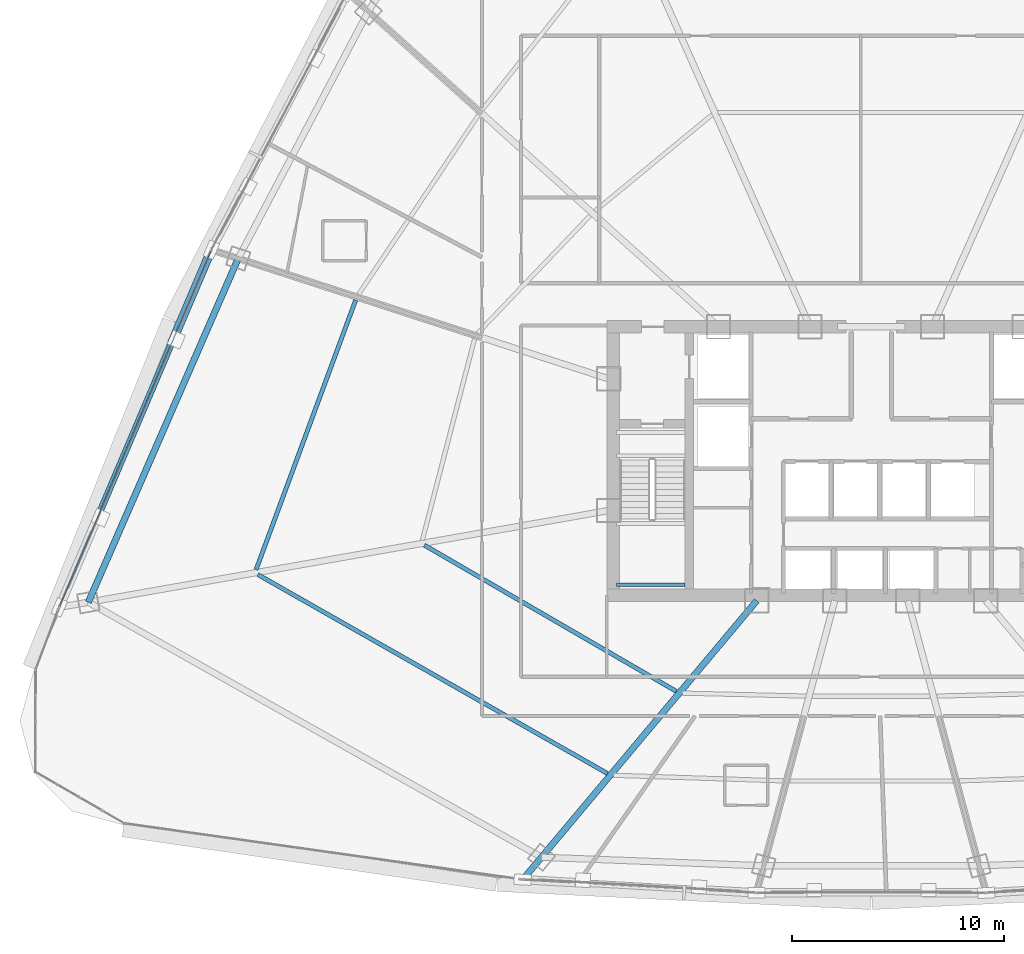
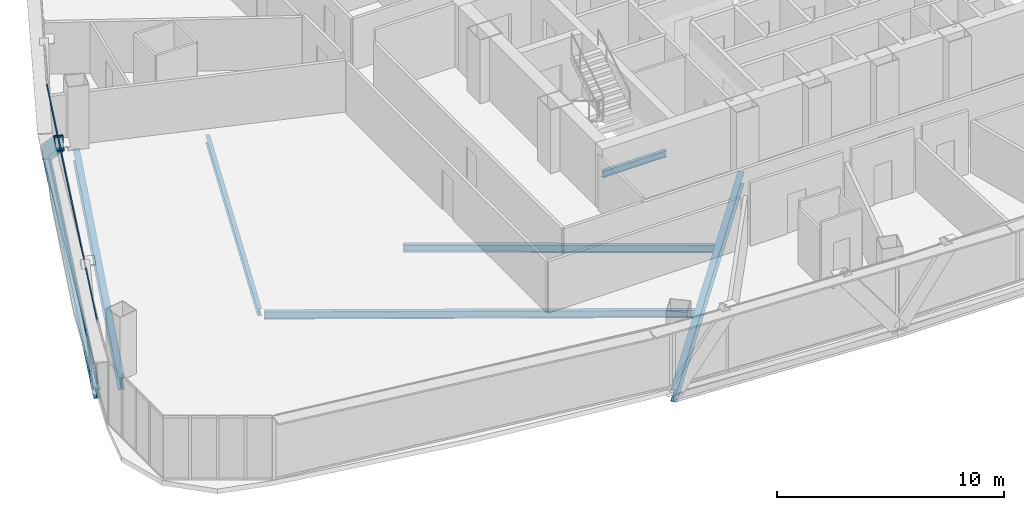
# One storey, part 7 of 40: 7 beams, 3 members, 1 element without a shape of its own.
"""IFC4 building model written with IfcOpenShell, lengths in metres."""

import ifcopenshell
import ifcopenshell.guid

model = None  # the IFC model being written
_history = None  # IfcOwnerHistory: only IFC2X3 demands one
_inside = {}  # id of a spatial element -> (the spatial element, [elements in it])
_under = {}  # id of a project, library or spatial element -> (it, [spatial elements below it])
_declared = {}  # id of a project -> (the project, [libraries it declares])
_typed = {}  # id of a type object -> (the type object, [elements of that type])
_made_of = {}  # id of a material, layer set ... -> (it, [elements and type objects made of it])


def new_model(schema):
    """Start an empty IFC model of exactly this schema.

    Asked for "IFC4X3", IfcOpenShell would pick the latest addendum, in which some entities
    have other attributes; the version numbers below select the first issue.
    IFC2X3 requires an IfcOwnerHistory on every rooted entity: one is made here for all.
    """
    global model, _history
    if schema == "IFC4X3":
        model = ifcopenshell.file(schema_version=(4, 3, 0, 0))
    else:
        model = ifcopenshell.file(schema=schema)
    _inside.clear()
    _under.clear()
    _declared.clear()
    _typed.clear()
    _made_of.clear()
    _history = None
    if model.schema == "IFC2X3":
        org = make("IfcOrganization", Name="unknown")
        user = make(
            "IfcPersonAndOrganization",
            ThePerson=make("IfcPerson", FamilyName="unknown"),
            TheOrganization=org,
        )
        app = make(
            "IfcApplication",
            ApplicationDeveloper=org,
            Version="unknown",
            ApplicationFullName="unknown",
            ApplicationIdentifier="unknown",
        )
        _history = make(
            "IfcOwnerHistory",
            OwningUser=user,
            OwningApplication=app,
            ChangeAction="ADDED",
            CreationDate=0,
        )
    return model


def make(cls, **values):
    """One entity of the class cls with the attributes given. An attribute that is None is left unset."""
    return model.create_entity(
        cls, **{name: value for name, value in values.items() if value is not None}
    )


def rooted(cls, **values):
    """An entity with a GlobalId (a new one), such as an element, a storey or a relation."""
    return make(cls, GlobalId=ifcopenshell.guid.new(), OwnerHistory=_history, **values)


def si_unit(unit_type, name, prefix=None):
    """IfcSIUnit, for example si_unit("LENGTHUNIT", "METRE", prefix="MILLI")."""
    return make("IfcSIUnit", UnitType=unit_type, Prefix=prefix, Name=name)


def assignment(units):
    """IfcUnitAssignment: the units of a project."""
    return None if units is None else make("IfcUnitAssignment", Units=units)


def point(xyz):
    """IfcCartesianPoint."""
    return None if xyz is None else make("IfcCartesianPoint", Coordinates=xyz)


def direction(xyz):
    """IfcDirection."""
    return None if xyz is None else make("IfcDirection", DirectionRatios=xyz)


def frame(location, z_axis=None, x_axis=None):
    """IfcAxis2Placement3D, a coordinate frame: its origin and axes. An axis left out is left unset."""
    return make(
        "IfcAxis2Placement3D",
        Location=point(location),
        Axis=direction(z_axis),
        RefDirection=direction(x_axis),
    )


def frame_2d(location, x_axis=None):
    """IfcAxis2Placement2D, a coordinate frame in the plane: its origin and x axis."""
    return make(
        "IfcAxis2Placement2D", Location=point(location), RefDirection=direction(x_axis)
    )


def origin():
    """The frame at (0, 0, 0) with its axes left unset."""
    return frame((0.0, 0.0, 0.0))


def origin_2d():
    """The frame at (0, 0) in the plane with its x axis left unset."""
    return frame_2d((0.0, 0.0))


def place(relative_to, where):
    """IfcLocalPlacement: puts the frame where relative to a parent placement (None: the world)."""
    return make(
        "IfcLocalPlacement", PlacementRelTo=relative_to, RelativePlacement=where
    )


def context(
    kind, dimensions, precision=None, world=None, true_north=None, identifier=None
):
    """IfcGeometricRepresentationContext, for example the 3D "Model" context."""
    return make(
        "IfcGeometricRepresentationContext",
        ContextIdentifier=identifier,
        ContextType=kind,
        CoordinateSpaceDimension=dimensions,
        Precision=precision,
        WorldCoordinateSystem=world,
        TrueNorth=true_north,
    )


def subcontext(parent, identifier, kind, view, scale=None):
    """IfcGeometricRepresentationSubContext, for example "Body" below "Model"."""
    return make(
        "IfcGeometricRepresentationSubContext",
        ContextIdentifier=identifier,
        ContextType=kind,
        ParentContext=parent,
        TargetScale=scale,
        TargetView=view,
    )


def project(units=None, contexts=None):
    """IfcProject with its units and contexts."""
    return rooted(
        "IfcProject",
        Name="project",
        RepresentationContexts=contexts,
        UnitsInContext=assignment(units),
    )


def spatial(cls, under=None, at=None, **own):
    """A site, building, storey or space (cls), placed at a placement, below another one or the project."""
    s = rooted(cls, ObjectPlacement=at, **own)
    if under is not None:
        _under.setdefault(under.id(), (under, []))[1].append(s)
    return s


def profile(cls, at=None, kind="AREA", **sizes):
    """A parametric profile (cls). Its sizes go by their IFC names, for example OverallWidth=200.0."""
    return make(cls, ProfileType=kind, Position=at, **sizes)


def hollow_rectangle(**sizes):
    """IfcRectangleHollowProfileDef."""
    return profile("IfcRectangleHollowProfileDef", **sizes)


def i_section(**sizes):
    """IfcIShapeProfileDef."""
    return profile("IfcIShapeProfileDef", **sizes)


def extrude(swept, where, along, depth):
    """IfcExtrudedAreaSolid: the profile swept, set in the frame where, extruded along a direction by depth."""
    return make(
        "IfcExtrudedAreaSolid",
        SweptArea=swept,
        Position=where,
        ExtrudedDirection=direction(along),
        Depth=depth,
    )


def shape(context_of_items, identifier, shape_type, items):
    """IfcShapeRepresentation: the items that make up one representation, for example the "Body"."""
    return make(
        "IfcShapeRepresentation",
        ContextOfItems=context_of_items,
        RepresentationIdentifier=identifier,
        RepresentationType=shape_type,
        Items=items,
    )


def source(mapping_origin, context_of_items, identifier, shape_type, items):
    """IfcRepresentationMap: a shape defined once, which mapped items show again and again."""
    return make(
        "IfcRepresentationMap",
        MappingOrigin=mapping_origin,
        MappedRepresentation=shape(context_of_items, identifier, shape_type, items),
    )


def transform(
    local_origin,
    x_axis=None,
    y_axis=None,
    z_axis=None,
    scale=None,
    scale2=None,
    scale3=None,
    uniform=True,
):
    """IfcCartesianTransformationOperator3D, or its non-uniform kind. x_axis, y_axis, z_axis: its Axis1, 2, 3."""
    if uniform:
        return make(
            "IfcCartesianTransformationOperator3D",
            Axis1=direction(x_axis),
            Axis2=direction(y_axis),
            LocalOrigin=point(local_origin),
            Scale=scale,
            Axis3=direction(z_axis),
        )
    return make(
        "IfcCartesianTransformationOperator3DnonUniform",
        Axis1=direction(x_axis),
        Axis2=direction(y_axis),
        LocalOrigin=point(local_origin),
        Scale=scale,
        Axis3=direction(z_axis),
        Scale2=scale2,
        Scale3=scale3,
    )


def mapped(mapping_source, mapping_target):
    """IfcMappedItem: shows the shape of a source again, moved by a transform."""
    return make(
        "IfcMappedItem", MappingSource=mapping_source, MappingTarget=mapping_target
    )


def material(Name=None, Category=None):
    """IfcMaterial."""
    return make("IfcMaterial", Name=Name, Category=Category)


def layer(
    of_material, thickness, ventilated=None, Name=None, Category=None, Priority=None
):
    """IfcMaterialLayer: one layer of a wall or slab, of a material (None: an air gap)."""
    return make(
        "IfcMaterialLayer",
        Material=of_material,
        LayerThickness=thickness,
        IsVentilated=ventilated,
        Name=Name,
        Category=Category,
        Priority=Priority,
    )


def layer_set(layers, Name=None):
    """IfcMaterialLayerSet."""
    return make("IfcMaterialLayerSet", MaterialLayers=layers, LayerSetName=Name)


def material_profile(
    of_material, cross_section, Name=None, Category=None, Priority=None
):
    """IfcMaterialProfile: a cross section and its material."""
    return make(
        "IfcMaterialProfile",
        Name=Name,
        Material=of_material,
        Profile=cross_section,
        Priority=Priority,
        Category=Category,
    )


def profile_set(profiles, Name=None, composite=None):
    """IfcMaterialProfileSet."""
    return make(
        "IfcMaterialProfileSet",
        Name=Name,
        MaterialProfiles=profiles,
        CompositeProfile=composite,
    )


def made_of(thing, what):
    """Note that an element or type object is made of a material, layer set ...; save() writes the relation."""
    if what is not None:
        _made_of.setdefault(what.id(), (what, []))[1].append(thing)
    return thing


def type_object(cls, material=None, **own):
    """A type object (cls), such as IfcWallType, which elements share."""
    return made_of(rooted(cls, **own), material)


def element(
    cls,
    number,
    at=None,
    inside=None,
    cuts=None,
    type_object=None,
    material=None,
    context=None,
    identifier="Body",
    shape_type=None,
    held_by="IfcProductDefinitionShape",
    body=None,
    shapes=None,
    **own,
):
    """One element of the class cls, such as IfcWall. Its Tag is "e" and its number.

    at: its placement. inside: the storey or other place that contains it. cuts: it is an
    opening in that element (IfcRelVoidsElement). A single representation is given by context,
    identifier, shape_type and body (its items); several are given by shapes. held_by: the class
    of the entity that holds the representations. save() writes the other relations.
    """
    e = rooted(cls, Tag="e%d" % number, ObjectPlacement=at, **own)
    if body is not None:
        shapes = [shape(context, identifier, shape_type, body)]
    if shapes is not None:
        e.Representation = make(held_by, Representations=shapes)
    if inside is not None:
        _inside.setdefault(inside.id(), (inside, []))[1].append(e)
    if cuts is not None:
        rooted(
            "IfcRelVoidsElement", RelatingBuildingElement=cuts, RelatedOpeningElement=e
        )
    if type_object is not None:
        _typed.setdefault(type_object.id(), (type_object, []))[1].append(e)
    return made_of(e, material)


def aggregate(whole, parts):
    """IfcRelAggregates: a whole, such as a stair, and the parts it consists of."""
    return rooted("IfcRelAggregates", RelatingObject=whole, RelatedObjects=parts)


def save(model, path):
    """Write the relations noted so far, then the file.

    IfcRelAggregates (storeys below a building ...), IfcRelContainedInSpatialStructure (elements
    in a storey), IfcRelDefinesByType, IfcRelAssociatesMaterial and IfcRelDeclares: one each for
    every whole, place, type object, material and project.
    """
    for whole, parts in _under.values():
        aggregate(whole, parts)
    for where, things in _inside.values():
        rooted(
            "IfcRelContainedInSpatialStructure",
            RelatedElements=things,
            RelatingStructure=where,
        )
    for kind, things in _typed.values():
        rooted("IfcRelDefinesByType", RelatedObjects=things, RelatingType=kind)
    for what, things in _made_of.values():
        rooted("IfcRelAssociatesMaterial", RelatedObjects=things, RelatingMaterial=what)
    for by, libraries in _declared.values():
        rooted("IfcRelDeclares", RelatingContext=by, RelatedDefinitions=libraries)
    model.write(path)


model = new_model("IFC4")

# Units and contexts
model_context = context("Model", 3, precision=1e-05, world=origin(), true_north=direction((0.0, 1.0)))
body_context = subcontext(model_context, "Body", "Model", "MODEL_VIEW")
ifc_project = project(units=[si_unit("LENGTHUNIT", "METRE"), si_unit("AREAUNIT", "SQUARE_METRE"), si_unit("VOLUMEUNIT", "CUBIC_METRE"), si_unit("PLANEANGLEUNIT", "RADIAN"), si_unit("MASSUNIT", "GRAM", prefix="KILO"), si_unit("THERMODYNAMICTEMPERATUREUNIT", "KELVIN"), si_unit("POWERUNIT", "WATT")], contexts=[model_context])

# Site, building, storey
site_placement = place(None, origin())
site = spatial("IfcSite", under=ifc_project, at=site_placement, CompositionType="ELEMENT")
building_placement = place(site_placement, origin())
building = spatial("IfcBuilding", under=site, at=building_placement, Name="Yunzhuo Pagoda Commons", CompositionType="ELEMENT")
storey_placement = place(building_placement, frame((0.0, 0.0, 159.27001953125)))
storey = spatial("IfcBuildingStorey", under=building, at=storey_placement, Name="L40", CompositionType="ELEMENT", Elevation=159.27001953125)

# Beams
ifc_material_1 = material(Name="Structural steel Q355B", Category="steel")
ifc_material_profile_1 = material_profile(ifc_material_1, i_section(OverallWidth=0.175048828125, OverallDepth=0.35009765625, WebThickness=0.007080078125, FlangeThickness=0.010986328125, at=origin_2d()), Name="Structural steel Q355B")
ifc_profile_set_1 = profile_set([ifc_material_profile_1], Name="Structural steel Q355B")
beam_type_1 = type_object("IfcBeamType", Name="B-JS2 Joist HN 350x175x7x11", PredefinedType="JOIST", material=ifc_profile_set_1)
shared_shape_1 = source(origin(), body_context, "Body", "SweptSolid", [
    extrude(i_section(OverallWidth=0.175048828125, OverallDepth=0.35009765625, WebThickness=0.007080078125, FlangeThickness=0.010986328125, at=origin_2d()), origin(), (0.0, 0.0, 1.0), 3.25),
])
beam_1_placement = place(storey_placement, frame((35.949951171875, 28.0, 1.465087890625), z_axis=(1.0, 0.0, 0.0), x_axis=(0.0, 1.0, 0.0)))
element("IfcBeam", 1, at=beam_1_placement, inside=storey, type_object=beam_type_1, Name="L40 ST1 landing support beam 46A", PredefinedType="JOIST", context=body_context, shape_type="MappedRepresentation", body=[
    mapped(shared_shape_1, transform((0.0, 0.0, 0.0), scale=1.0)),
])
ifc_material_profile_2 = material_profile(ifc_material_1, i_section(OverallWidth=0.199951171875, OverallDepth=0.39990234375, WebThickness=0.008056640625, FlangeThickness=0.012939453125, at=origin_2d()), Name="Structural steel Q355B")
ifc_profile_set_2 = profile_set([ifc_material_profile_2], Name="Structural steel Q355B")
beam_type_2 = type_object("IfcBeamType", Name="B-JS1 Joist HN 400x200x8x13", PredefinedType="JOIST", material=ifc_profile_set_2)
shared_shape_2 = source(origin(), body_context, "Body", "SweptSolid", [
    extrude(i_section(OverallWidth=0.199951171875, OverallDepth=0.39990234375, WebThickness=0.008056640625, FlangeThickness=0.012939453125, at=origin_2d()), origin(), (0.0, 0.0, 1.0), 13.76416015625),
])
beam_2_placement = place(storey_placement, frame((26.882568359375, 29.87255859375, -0.4599609375), z_axis=(0.864967288101, -0.501828248025, 0.0), x_axis=(0.501828248025, 0.864967288101, 0.0)))
element("IfcBeam", 2, at=beam_2_placement, inside=storey, type_object=beam_type_2, Name="L40 composite ring joist 1.12", PredefinedType="JOIST", context=body_context, shape_type="MappedRepresentation", body=[
    mapped(shared_shape_2, transform((0.0, 0.0, 0.0), scale=1.0)),
])
shared_shape_3 = source(origin(), body_context, "Body", "SweptSolid", [
    extrude(i_section(OverallWidth=0.199951171875, OverallDepth=0.39990234375, WebThickness=0.008056640625, FlangeThickness=0.012939453125, at=origin_2d()), origin(), (0.0, 0.0, 1.0), 19.007568359375),
])
beam_3_placement = place(storey_placement, frame((19.01220703125, 28.485595703125, -0.4599609375), z_axis=(0.869119947472, -0.494601371718, 0.0), x_axis=(0.494601371718, 0.869119947472, 0.0)))
element("IfcBeam", 3, at=beam_3_placement, inside=storey, type_object=beam_type_2, Name="L40 composite ring joist 2.12", PredefinedType="JOIST", context=body_context, shape_type="MappedRepresentation", body=[
    mapped(shared_shape_3, transform((0.0, 0.0, 0.0), scale=1.0)),
])
ifc_material_profile_3 = material_profile(ifc_material_1, i_section(OverallWidth=0.300048828125, OverallDepth=0.64990234375, WebThickness=0.012939453125, FlangeThickness=0.02197265625, at=origin_2d()), Name="Structural steel Q355B")
ifc_profile_set_3 = profile_set([ifc_material_profile_3], Name="Structural steel Q355B")
beam_type_3 = type_object("IfcBeamType", Name="B-RG2 Beam HN 650x300x13x22", PredefinedType="BEAM", material=ifc_profile_set_3)
shared_shape_4 = source(origin(), body_context, "Body", "SweptSolid", [
    extrude(i_section(OverallWidth=0.300048828125, OverallDepth=0.64990234375, WebThickness=0.012939453125, FlangeThickness=0.02197265625, at=origin_2d()), origin(), (0.0, 0.0, 1.0), 17.72021484375),
])
beam_4_placement = place(storey_placement, frame((18.084716796875, 43.420166015625, -0.5849609375), z_axis=(-0.399643307961, -0.916670729544, 0.0), x_axis=(0.916670729544, -0.399643307961, 0.0)))
element("IfcBeam", 4, at=beam_4_placement, inside=storey, type_object=beam_type_3, Name="L40 column-ring beam 11", PredefinedType="BEAM", context=body_context, shape_type="MappedRepresentation", body=[
    mapped(shared_shape_4, transform((0.0, 0.0, 0.0), scale=1.0)),
])
shared_shape_5 = source(origin(), body_context, "Body", "SweptSolid", [
    extrude(i_section(OverallWidth=0.199951171875, OverallDepth=0.39990234375, WebThickness=0.008056640625, FlangeThickness=0.012939453125, at=origin_2d()), origin(), (0.0, 0.0, 1.0), 13.577880859375),
])
beam_5_placement = place(storey_placement, frame((23.634765625, 41.44970703125, -0.4599609375), z_axis=(-0.3465634723, -0.938026523968, 0.0), x_axis=(0.938026523968, -0.3465634723, 0.0)))
element("IfcBeam", 5, at=beam_5_placement, inside=storey, type_object=beam_type_2, Name="L40 composite ring joist 2.11", PredefinedType="JOIST", context=body_context, shape_type="MappedRepresentation", body=[
    mapped(shared_shape_5, transform((0.0, 0.0, 0.0), scale=1.0)),
])
shared_shape_6 = source(origin(), body_context, "Body", "SweptSolid", [
    extrude(i_section(OverallWidth=0.300048828125, OverallDepth=0.64990234375, WebThickness=0.012939453125, FlangeThickness=0.02197265625, at=origin_2d()), origin(), (0.0, 0.0, 1.0), 17.05224609375),
])
beam_6_placement = place(storey_placement, frame((31.626708984375, 14.187255859375, -0.5849609375), z_axis=(0.642795794804, 0.766037574916, 0.0), x_axis=(-0.766037574916, 0.642795794804, 0.0)))
element("IfcBeam", 6, at=beam_6_placement, inside=storey, type_object=beam_type_3, Name="L40 radial floor girder F1C1", PredefinedType="BEAM", context=body_context, shape_type="MappedRepresentation", body=[
    mapped(shared_shape_6, transform((0.0, 0.0, 0.0), scale=1.0)),
])
ifc_material_profile_4 = material_profile(ifc_material_1, i_section(OverallWidth=0.300048828125, OverallDepth=0.488037109375, WebThickness=0.010986328125, FlangeThickness=0.01806640625, at=origin_2d()), Name="Structural steel Q355B")
ifc_profile_set_4 = profile_set([ifc_material_profile_4], Name="Structural steel Q355B")
beam_type_4 = type_object("IfcBeamType", Name="B-SP1 Beam HM 488x300x11x18", PredefinedType="BEAM", material=ifc_profile_set_4)
shared_shape_7 = source(origin(), body_context, "Body", "SweptSolid", [
    extrude(i_section(OverallWidth=0.300048828125, OverallDepth=0.488037109375, WebThickness=0.010986328125, FlangeThickness=0.01806640625, at=origin_2d()), origin(), (0.0, 0.0, 1.0), 18.362548828125),
])
beam_7_placement = place(storey_placement, frame((16.817138671875, 43.831787109375, -0.50390625), z_axis=(-0.391409773714, -0.920216490312, 0.0), x_axis=(0.920216490312, -0.391409773714, 0.0)))
element("IfcBeam", 7, at=beam_7_placement, inside=storey, type_object=beam_type_4, Name="L40 facade edge spandrel beam F3.3", PredefinedType="BEAM", context=body_context, shape_type="MappedRepresentation", body=[
    mapped(shared_shape_7, transform((0.0, 0.0, 0.0), scale=1.0)),
])

# Member
ifc_material_profile_5 = material_profile(ifc_material_1, hollow_rectangle(XDim=0.39990234375, YDim=0.719970703125, WallThickness=0.02392578125, at=origin_2d()), Name="Structural steel Q355B")
ifc_profile_set_5 = profile_set([ifc_material_profile_5], Name="Structural steel Q355B")
member_type_1 = type_object("IfcMemberType", Name="M-DL2 Brace BOX 720x400x24", PredefinedType="BRACE", material=ifc_profile_set_5)
shared_shape_8 = source(origin(), body_context, "Body", "SweptSolid", [
    extrude(hollow_rectangle(XDim=0.39990234375, YDim=0.719970703125, WallThickness=0.02392578125, at=origin_2d()), origin(), (0.0, 0.0, 1.0), 5.883544921875),
])
member_1_placement = place(storey_placement, frame((16.817138671875, 43.831787109375, -0.260009765625), z_axis=(-0.305370042865, -0.718007589577, 0.625471212951), x_axis=(0.920230856435, -0.391375996793, 0.0)))
element("IfcMember", 8, at=member_1_placement, inside=storey, type_object=member_type_1, Name="L40 facade diamond brace F3.3L", PredefinedType="BRACE", context=body_context, shape_type="MappedRepresentation", body=[
    mapped(shared_shape_8, transform((0.0, 0.0, 0.0), scale=1.0)),
])

# Curtain wall, members
ifc_material_2 = material(Name="Anodized aluminium 6063-T6", Category="aluminium")
ifc_layer = layer(ifc_material_2, 0.14990234375)
ifc_layer_set = layer_set([ifc_layer], Name="Anodized aluminium 6063-T6")
curtain_wall_type = type_object("IfcCurtainWallType", Name="CW-MID Mid-Zone Ribbon Curtain Wall", PredefinedType="NOTDEFINED", material=ifc_layer_set)
curtain_wall_placement = place(storey_placement, origin())
curtain_wall = element("IfcCurtainWall", 9, at=curtain_wall_placement, inside=storey, type_object=curtain_wall_type, Name="L40 curtain wall CW-L40-F3B4", PredefinedType="NOTDEFINED")
ifc_material_profile_6 = material_profile(ifc_material_2, hollow_rectangle(XDim=0.054931640625, YDim=0.1298828125, WallThickness=0.00341796875, at=origin_2d()), Name="Anodized aluminium 6063-T6")
ifc_profile_set_6 = profile_set([ifc_material_profile_6], Name="Anodized aluminium 6063-T6")
member_type_2 = type_object("IfcMemberType", Name="CW-MID-T Transom RHS 130x55x3.5", PredefinedType="USERDEFINED", material=ifc_profile_set_6)
shared_shape_9 = source(origin(), body_context, "Body", "SweptSolid", [
    extrude(hollow_rectangle(XDim=0.054931640625, YDim=0.1298828125, WallThickness=0.00341796875, at=origin_2d()), origin(), (0.0, 0.0, 1.0), 18.24267578125),
])
member_2_placement = place(storey_placement, frame((16.793701171875, 43.776611328125, 0.027587890625), z_axis=(-0.391412675822, -0.920215255908, 0.0), x_axis=(0.920215255908, -0.391412675822, 0.0)))
member_2 = element("IfcMember", 10, at=member_2_placement, type_object=member_type_2, Name="CW transom 1.1", ObjectType="TRANSOM", PredefinedType="USERDEFINED", context=body_context, shape_type="MappedRepresentation", body=[
    mapped(shared_shape_9, transform((0.0, 0.0, 0.0), scale=1.0)),
])
member_3_placement = place(storey_placement, frame((16.793701171875, 43.776611328125, 3.392578125), z_axis=(-0.391412675822, -0.920215255908, 0.0), x_axis=(0.920215255908, -0.391412675822, 0.0)))
member_3 = element("IfcMember", 11, at=member_3_placement, type_object=member_type_2, Name="CW transom 1.2", ObjectType="TRANSOM", PredefinedType="USERDEFINED", context=body_context, shape_type="MappedRepresentation", body=[
    mapped(shared_shape_9, transform((0.0, 0.0, 0.0), scale=1.0)),
])
aggregate(curtain_wall, [member_2, member_3])

save(model, "model.ifc")
